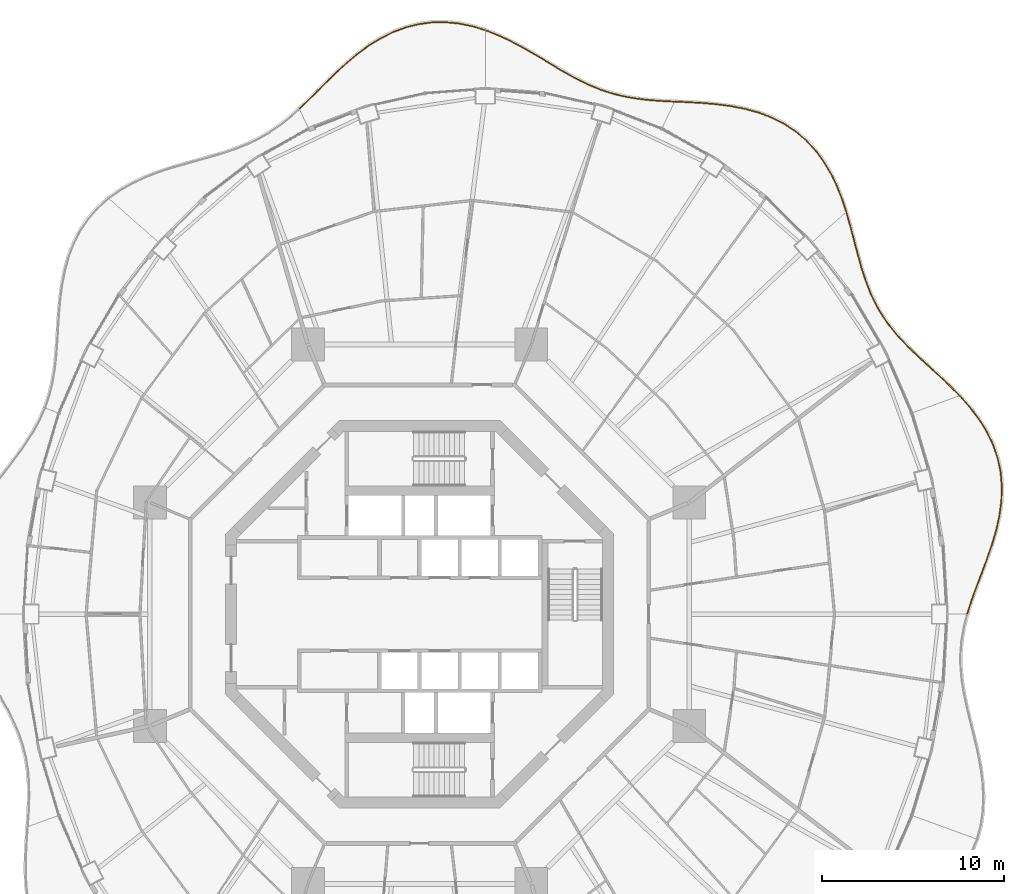
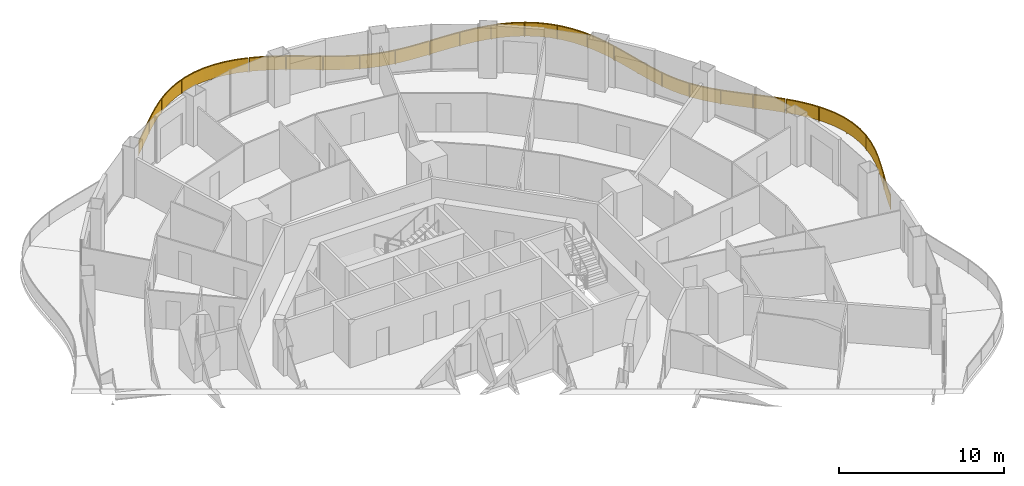
# One storey, part 19 of 19: 5 railings.
"""IFC4 building model written with IfcOpenShell, lengths in metres."""

import ifcopenshell
import ifcopenshell.guid

model = None  # the IFC model being written
_history = None  # IfcOwnerHistory: only IFC2X3 demands one
_inside = {}  # id of a spatial element -> (the spatial element, [elements in it])
_under = {}  # id of a project, library or spatial element -> (it, [spatial elements below it])
_declared = {}  # id of a project -> (the project, [libraries it declares])
_typed = {}  # id of a type object -> (the type object, [elements of that type])
_made_of = {}  # id of a material, layer set ... -> (it, [elements and type objects made of it])


def new_model(schema):
    """Start an empty IFC model of exactly this schema.

    Asked for "IFC4X3", IfcOpenShell would pick the latest addendum, in which some entities
    have other attributes; the version numbers below select the first issue.
    IFC2X3 requires an IfcOwnerHistory on every rooted entity: one is made here for all.
    """
    global model, _history
    if schema == "IFC4X3":
        model = ifcopenshell.file(schema_version=(4, 3, 0, 0))
    else:
        model = ifcopenshell.file(schema=schema)
    _inside.clear()
    _under.clear()
    _declared.clear()
    _typed.clear()
    _made_of.clear()
    _history = None
    if model.schema == "IFC2X3":
        org = make("IfcOrganization", Name="unknown")
        user = make(
            "IfcPersonAndOrganization",
            ThePerson=make("IfcPerson", FamilyName="unknown"),
            TheOrganization=org,
        )
        app = make(
            "IfcApplication",
            ApplicationDeveloper=org,
            Version="unknown",
            ApplicationFullName="unknown",
            ApplicationIdentifier="unknown",
        )
        _history = make(
            "IfcOwnerHistory",
            OwningUser=user,
            OwningApplication=app,
            ChangeAction="ADDED",
            CreationDate=0,
        )
    return model


def make(cls, **values):
    """One entity of the class cls with the attributes given. An attribute that is None is left unset."""
    return model.create_entity(
        cls, **{name: value for name, value in values.items() if value is not None}
    )


def rooted(cls, **values):
    """An entity with a GlobalId (a new one), such as an element, a storey or a relation."""
    return make(cls, GlobalId=ifcopenshell.guid.new(), OwnerHistory=_history, **values)


def si_unit(unit_type, name, prefix=None):
    """IfcSIUnit, for example si_unit("LENGTHUNIT", "METRE", prefix="MILLI")."""
    return make("IfcSIUnit", UnitType=unit_type, Prefix=prefix, Name=name)


def assignment(units):
    """IfcUnitAssignment: the units of a project."""
    return None if units is None else make("IfcUnitAssignment", Units=units)


def point(xyz):
    """IfcCartesianPoint."""
    return None if xyz is None else make("IfcCartesianPoint", Coordinates=xyz)


def direction(xyz):
    """IfcDirection."""
    return None if xyz is None else make("IfcDirection", DirectionRatios=xyz)


def frame(location, z_axis=None, x_axis=None):
    """IfcAxis2Placement3D, a coordinate frame: its origin and axes. An axis left out is left unset."""
    return make(
        "IfcAxis2Placement3D",
        Location=point(location),
        Axis=direction(z_axis),
        RefDirection=direction(x_axis),
    )


def frame_2d(location, x_axis=None):
    """IfcAxis2Placement2D, a coordinate frame in the plane: its origin and x axis."""
    return make(
        "IfcAxis2Placement2D", Location=point(location), RefDirection=direction(x_axis)
    )


def origin():
    """The frame at (0, 0, 0) with its axes left unset."""
    return frame((0.0, 0.0, 0.0))


def origin_2d():
    """The frame at (0, 0) in the plane with its x axis left unset."""
    return frame_2d((0.0, 0.0))


def place(relative_to, where):
    """IfcLocalPlacement: puts the frame where relative to a parent placement (None: the world)."""
    return make(
        "IfcLocalPlacement", PlacementRelTo=relative_to, RelativePlacement=where
    )


def context(
    kind, dimensions, precision=None, world=None, true_north=None, identifier=None
):
    """IfcGeometricRepresentationContext, for example the 3D "Model" context."""
    return make(
        "IfcGeometricRepresentationContext",
        ContextIdentifier=identifier,
        ContextType=kind,
        CoordinateSpaceDimension=dimensions,
        Precision=precision,
        WorldCoordinateSystem=world,
        TrueNorth=true_north,
    )


def subcontext(parent, identifier, kind, view, scale=None):
    """IfcGeometricRepresentationSubContext, for example "Body" below "Model"."""
    return make(
        "IfcGeometricRepresentationSubContext",
        ContextIdentifier=identifier,
        ContextType=kind,
        ParentContext=parent,
        TargetScale=scale,
        TargetView=view,
    )


def project(units=None, contexts=None):
    """IfcProject with its units and contexts."""
    return rooted(
        "IfcProject",
        Name="project",
        RepresentationContexts=contexts,
        UnitsInContext=assignment(units),
    )


def spatial(cls, under=None, at=None, **own):
    """A site, building, storey or space (cls), placed at a placement, below another one or the project."""
    s = rooted(cls, ObjectPlacement=at, **own)
    if under is not None:
        _under.setdefault(under.id(), (under, []))[1].append(s)
    return s


def polyline(points):
    """IfcPolyline through the points."""
    return make("IfcPolyline", Points=[point(p) for p in points])


def profile(cls, at=None, kind="AREA", **sizes):
    """A parametric profile (cls). Its sizes go by their IFC names, for example OverallWidth=200.0."""
    return make(cls, ProfileType=kind, Position=at, **sizes)


def rectangle(**sizes):
    """IfcRectangleProfileDef."""
    return profile("IfcRectangleProfileDef", **sizes)


def outline(outer, holes=None, kind="AREA"):
    """IfcArbitraryClosedProfileDef: a profile drawn as a closed curve; with holes, ...WithVoids."""
    if holes is None:
        return make("IfcArbitraryClosedProfileDef", ProfileType=kind, OuterCurve=outer)
    return make(
        "IfcArbitraryProfileDefWithVoids",
        ProfileType=kind,
        OuterCurve=outer,
        InnerCurves=holes,
    )


def extrude(swept, where, along, depth):
    """IfcExtrudedAreaSolid: the profile swept, set in the frame where, extruded along a direction by depth."""
    return make(
        "IfcExtrudedAreaSolid",
        SweptArea=swept,
        Position=where,
        ExtrudedDirection=direction(along),
        Depth=depth,
    )


def shape(context_of_items, identifier, shape_type, items):
    """IfcShapeRepresentation: the items that make up one representation, for example the "Body"."""
    return make(
        "IfcShapeRepresentation",
        ContextOfItems=context_of_items,
        RepresentationIdentifier=identifier,
        RepresentationType=shape_type,
        Items=items,
    )


def material(Name=None, Category=None):
    """IfcMaterial."""
    return make("IfcMaterial", Name=Name, Category=Category)


def made_of(thing, what):
    """Note that an element or type object is made of a material, layer set ...; save() writes the relation."""
    if what is not None:
        _made_of.setdefault(what.id(), (what, []))[1].append(thing)
    return thing


def type_object(cls, material=None, **own):
    """A type object (cls), such as IfcWallType, which elements share."""
    return made_of(rooted(cls, **own), material)


def element(
    cls,
    number,
    at=None,
    inside=None,
    cuts=None,
    type_object=None,
    material=None,
    context=None,
    identifier="Body",
    shape_type=None,
    held_by="IfcProductDefinitionShape",
    body=None,
    shapes=None,
    **own,
):
    """One element of the class cls, such as IfcWall. Its Tag is "e" and its number.

    at: its placement. inside: the storey or other place that contains it. cuts: it is an
    opening in that element (IfcRelVoidsElement). A single representation is given by context,
    identifier, shape_type and body (its items); several are given by shapes. held_by: the class
    of the entity that holds the representations. save() writes the other relations.
    """
    e = rooted(cls, Tag="e%d" % number, ObjectPlacement=at, **own)
    if body is not None:
        shapes = [shape(context, identifier, shape_type, body)]
    if shapes is not None:
        e.Representation = make(held_by, Representations=shapes)
    if inside is not None:
        _inside.setdefault(inside.id(), (inside, []))[1].append(e)
    if cuts is not None:
        rooted(
            "IfcRelVoidsElement", RelatingBuildingElement=cuts, RelatedOpeningElement=e
        )
    if type_object is not None:
        _typed.setdefault(type_object.id(), (type_object, []))[1].append(e)
    return made_of(e, material)


def aggregate(whole, parts):
    """IfcRelAggregates: a whole, such as a stair, and the parts it consists of."""
    return rooted("IfcRelAggregates", RelatingObject=whole, RelatedObjects=parts)


def save(model, path):
    """Write the relations noted so far, then the file.

    IfcRelAggregates (storeys below a building ...), IfcRelContainedInSpatialStructure (elements
    in a storey), IfcRelDefinesByType, IfcRelAssociatesMaterial and IfcRelDeclares: one each for
    every whole, place, type object, material and project.
    """
    for whole, parts in _under.values():
        aggregate(whole, parts)
    for where, things in _inside.values():
        rooted(
            "IfcRelContainedInSpatialStructure",
            RelatedElements=things,
            RelatingStructure=where,
        )
    for kind, things in _typed.values():
        rooted("IfcRelDefinesByType", RelatedObjects=things, RelatingType=kind)
    for what, things in _made_of.values():
        rooted("IfcRelAssociatesMaterial", RelatedObjects=things, RelatingMaterial=what)
    for by, libraries in _declared.values():
        rooted("IfcRelDeclares", RelatingContext=by, RelatedDefinitions=libraries)
    model.write(path)


model = new_model("IFC4")

# Units and contexts
model_context = context("Model", 3, precision=1e-05, world=origin(), true_north=direction((0.0, 1.0)))
body_context = subcontext(model_context, "Body", "Model", "MODEL_VIEW")
ifc_project = project(units=[si_unit("LENGTHUNIT", "METRE"), si_unit("AREAUNIT", "SQUARE_METRE"), si_unit("VOLUMEUNIT", "CUBIC_METRE"), si_unit("PLANEANGLEUNIT", "RADIAN"), si_unit("MASSUNIT", "GRAM", prefix="KILO")], contexts=[model_context])

# Site, building, storey
site_placement = place(None, origin())
site = spatial("IfcSite", under=ifc_project, at=site_placement, CompositionType="ELEMENT")
building_placement = place(site_placement, origin())
building = spatial("IfcBuilding", under=site, at=building_placement, Name="Nagisa Residences", CompositionType="ELEMENT")
storey_placement = place(building_placement, frame((0.0, 0.0, 191.800048828125)))
storey = spatial("IfcBuildingStorey", under=building, at=storey_placement, Name="L48", CompositionType="ELEMENT", Elevation=191.800048828125)

# Railings
ifc_material = material(Name="Stainless steel 316", Category="steel")
railing_type = type_object("IfcRailingType", Name="BALCONY GUARD 1100", PredefinedType="BALUSTRADE", material=ifc_material)
railing_1_placement = place(storey_placement, frame((30.019287109375, 0.0341796875, 0.0)))
element("IfcRailing", 1, at=railing_1_placement, inside=storey, type_object=railing_type, Name="guard:L48:bal00-0", PredefinedType="BALUSTRADE", context=body_context, shape_type="SweptSolid", body=[
    extrude(outline(polyline([(0.19775390625, 0.701416015625), (-0.02392578125, 0.007568359375), (0.02392578125, -0.007568359375), (0.2451171875, 0.685302734375), (0.514404296875, 1.431396484375), (0.803466796875, 2.1923828125), (1.093505859375, 2.96826171875), (1.365966796875, 3.758544921875), (1.602294921875, 4.5458984375), (1.781982421875, 5.35400390625), (1.890625, 6.163818359375), (1.916015625, 6.968505859375), (1.84912109375, 7.76171875), (1.68896484375, 8.52294921875), (1.4296875, 9.27392578125), (1.079345703125, 9.996337890625), (0.647216796875, 10.686279296875), (0.146240234375, 11.343505859375), (-0.379150390625, 11.932861328125), (-0.416748046875, 11.899658203125), (0.107666015625, 11.311767578125), (0.606201171875, 10.657958984375), (1.035400390625, 9.971923828125), (1.38330078125, 9.2548828125), (1.640625, 8.509765625), (1.79931640625, 7.75439453125), (1.86572265625, 6.967041015625), (1.8408203125, 6.167724609375), (1.732666015625, 5.36279296875), (1.553955078125, 4.55859375), (1.318115234375, 3.773681640625), (1.046630859375, 2.9853515625), (0.756591796875, 2.2099609375), (0.467529296875, 1.448974609375), (0.19775390625, 0.701416015625)])), frame((0.0, 0.0, 1.050048828125)), (0.0, 0.0, 1.0), 0.050048828125),
    extrude(outline(polyline([(0.21484375, 0.695556640625), (-0.006591796875, 0.002197265625), (0.006591796875, -0.002197265625), (0.22802734375, 0.691162109375), (0.49755859375, 1.437744140625), (0.78662109375, 2.19873046875), (1.07666015625, 2.974365234375), (1.3486328125, 3.763916015625), (1.5849609375, 4.550537109375), (1.76416015625, 5.357177734375), (1.872802734375, 6.165283203125), (1.89794921875, 6.968017578125), (1.8310546875, 7.759033203125), (1.671630859375, 8.518310546875), (1.4130859375, 9.26708984375), (1.0634765625, 9.987548828125), (0.632568359375, 10.676025390625), (0.13232421875, 11.33203125), (-0.392822265625, 11.9208984375), (-0.403076171875, 11.91162109375), (0.12158203125, 11.3232421875), (0.620849609375, 10.668212890625), (1.05126953125, 9.980712890625), (1.39990234375, 9.26171875), (1.657958984375, 8.514404296875), (1.8173828125, 7.757080078125), (1.8837890625, 6.967529296875), (1.858642578125, 6.166259765625), (1.75048828125, 5.359619140625), (1.5712890625, 4.553955078125), (1.33544921875, 3.768310546875), (1.0634765625, 2.979248046875), (0.7734375, 2.20361328125), (0.484375, 1.442626953125), (0.21484375, 0.695556640625)])), frame((0.0, 0.0, 0.06005859375)), (0.0, 0.0, 1.0), 0.989990234375),
    extrude(rectangle(XDim=0.0400390625, YDim=0.0400390625, at=origin_2d()), origin(), (0.0, 0.0, 1.0), 1.050048828125),
    extrude(rectangle(XDim=0.0400390625, YDim=0.0400390625, at=origin_2d()), frame((0.7109375, 2.01904296875, 0.0)), (0.0, 0.0, 1.0), 1.050048828125),
    extrude(rectangle(XDim=0.0400390625, YDim=0.0400390625, at=origin_2d()), frame((1.423583984375, 4.037353515625, 0.0)), (0.0, 0.0, 1.0), 1.050048828125),
    extrude(rectangle(XDim=0.0400390625, YDim=0.0400390625, at=origin_2d()), frame((1.86083984375, 6.129150390625, 0.0)), (0.0, 0.0, 1.0), 1.050048828125),
    extrude(rectangle(XDim=0.0400390625, YDim=0.0400390625, at=origin_2d()), frame((1.719482421875, 8.255859375, 0.0)), (0.0, 0.0, 1.0), 1.050048828125),
    extrude(rectangle(XDim=0.0400390625, YDim=0.0400390625, at=origin_2d()), frame((0.906982421875, 10.224365234375, 0.0)), (0.0, 0.0, 1.0), 1.050048828125),
    extrude(rectangle(XDim=0.0400390625, YDim=0.0400390625, at=origin_2d()), frame((-0.39794921875, 11.916259765625, 0.0)), (0.0, 0.0, 1.0), 1.050048828125),
])
railing_2_placement = place(storey_placement, frame((29.567626953125, 12.005859375, 0.0)))
element("IfcRailing", 2, at=railing_2_placement, inside=storey, type_object=railing_type, Name="guard:L48:bal01-0", PredefinedType="BALUSTRADE", context=body_context, shape_type="SweptSolid", body=[
    extrude(outline(polyline([(-0.55810546875, 0.52587890625), (-0.017822265625, -0.017578125), (0.017822265625, 0.017578125), (-0.52294921875, 0.5615234375), (-1.111572265625, 1.1171875), (-1.70068359375, 1.65625), (-2.2744140625, 2.1865234375), (-2.819580078125, 2.71630859375), (-3.318115234375, 3.240478515625), (-3.776123046875, 3.793212890625), (-4.18212890625, 4.369384765625), (-4.535888671875, 4.97412109375), (-4.840576171875, 5.6123046875), (-5.09423828125, 6.272705078125), (-5.3232421875, 6.980224609375), (-5.530517578125, 7.718505859375), (-5.72998046875, 8.4814453125), (-5.935791015625, 9.260498046875), (-6.14697265625, 10.001708984375), (-6.1953125, 9.988037109375), (-5.984130859375, 9.247314453125), (-5.7783203125, 8.46875), (-5.578857421875, 7.705322265625), (-5.37109375, 6.965576171875), (-5.1416015625, 6.256103515625), (-4.886474609375, 5.59228515625), (-4.580322265625, 4.95068359375), (-4.22412109375, 4.342041015625), (-3.815673828125, 3.762939453125), (-3.355712890625, 3.207275390625), (-2.855224609375, 2.68115234375), (-2.30908203125, 2.150390625), (-1.734375, 1.61962890625), (-1.145751953125, 1.08056640625), (-0.55810546875, 0.52587890625)])), frame((0.0, 0.0, 1.050048828125)), (0.0, 0.0, 1.0), 0.050048828125),
    extrude(outline(polyline([(-0.54541015625, 0.53857421875), (-0.0048828125, -0.0048828125), (0.0048828125, 0.0048828125), (-0.53564453125, 0.548828125), (-1.123779296875, 1.10400390625), (-1.712890625, 1.64306640625), (-2.286865234375, 2.173583984375), (-2.83251953125, 2.70361328125), (-3.331787109375, 3.228515625), (-3.790283203125, 3.7822265625), (-4.197265625, 4.359619140625), (-4.552001953125, 4.965576171875), (-4.857177734375, 5.60498046875), (-5.111328125, 6.266845703125), (-5.340576171875, 6.974853515625), (-5.5478515625, 7.7138671875), (-5.747314453125, 8.476806640625), (-5.953125, 9.255859375), (-6.164306640625, 9.996826171875), (-6.177978515625, 9.992919921875), (-5.966796875, 9.251953125), (-5.760986328125, 8.473388671875), (-5.5615234375, 7.7099609375), (-5.353759765625, 6.970947265625), (-5.12451171875, 6.261962890625), (-4.869873046875, 5.599609375), (-4.564208984375, 4.959228515625), (-4.208984375, 4.351806640625), (-3.801513671875, 3.77392578125), (-3.342041015625, 3.21923828125), (-2.84228515625, 2.69384765625), (-2.296630859375, 2.163330078125), (-1.72216796875, 1.6328125), (-1.133544921875, 1.09375), (-0.54541015625, 0.53857421875)])), frame((0.0, 0.0, 0.06005859375)), (0.0, 0.0, 1.0), 0.989990234375),
    extrude(rectangle(XDim=0.0400390625, YDim=0.0400390625, at=origin_2d()), origin(), (0.0, 0.0, 1.0), 1.050048828125),
    extrude(rectangle(XDim=0.0400390625, YDim=0.0400390625, at=origin_2d()), frame((-1.449951171875, 1.39306640625, 0.0)), (0.0, 0.0, 1.0), 1.050048828125),
    extrude(rectangle(XDim=0.0400390625, YDim=0.0400390625, at=origin_2d()), frame((-2.91015625, 2.775146484375, 0.0)), (0.0, 0.0, 1.0), 1.050048828125),
    extrude(rectangle(XDim=0.0400390625, YDim=0.0400390625, at=origin_2d()), frame((-4.18310546875, 4.327392578125, 0.0)), (0.0, 0.0, 1.0), 1.050048828125),
    extrude(rectangle(XDim=0.0400390625, YDim=0.0400390625, at=origin_2d()), frame((-5.06591796875, 6.129150390625, 0.0)), (0.0, 0.0, 1.0), 1.050048828125),
    extrude(rectangle(XDim=0.0400390625, YDim=0.0400390625, at=origin_2d()), frame((-5.64404296875, 8.05419921875, 0.0)), (0.0, 0.0, 1.0), 1.050048828125),
    extrude(rectangle(XDim=0.0400390625, YDim=0.0400390625, at=origin_2d()), frame((-6.171142578125, 9.994873046875, 0.0)), (0.0, 0.0, 1.0), 1.050048828125),
])
railing_3_placement = place(storey_placement, frame((23.375, 22.07470703125, 0.0)))
element("IfcRailing", 3, at=railing_3_placement, inside=storey, type_object=railing_type, Name="guard:L48:bal02-0", PredefinedType="BALUSTRADE", context=body_context, shape_type="SweptSolid", body=[
    extrude(outline(polyline([(-0.25341796875, 0.68994140625), (-0.023681640625, -0.0078125), (0.023681640625, 0.0078125), (-0.20654296875, 0.70703125), (-0.4951171875, 1.43212890625), (-0.833984375, 2.128662109375), (-1.228759765625, 2.78515625), (-1.683349609375, 3.39208984375), (-2.186767578125, 3.9296875), (-2.761962890625, 4.412353515625), (-3.391845703125, 4.825927734375), (-4.070556640625, 5.168701171875), (-4.78955078125, 5.4423828125), (-5.527587890625, 5.64306640625), (-6.29736328125, 5.7939453125), (-7.080078125, 5.89794921875), (-7.8642578125, 5.965576171875), (-8.641357421875, 6.01025390625), (-9.359130859375, 6.040771484375), (-9.361083984375, 5.990966796875), (-8.643798828125, 5.96044921875), (-7.86767578125, 5.915771484375), (-7.08544921875, 5.84814453125), (-6.3056640625, 5.74462890625), (-5.538818359375, 5.59423828125), (-4.80517578125, 5.39453125), (-4.090576171875, 5.122802734375), (-3.416748046875, 4.782470703125), (-2.791748046875, 4.372314453125), (-2.221435546875, 3.89306640625), (-1.721923828125, 3.35986328125), (-1.270263671875, 2.75732421875), (-0.8779296875, 2.104736328125), (-0.541015625, 1.412109375), (-0.25341796875, 0.68994140625)])), frame((0.0, 0.0, 1.050048828125)), (0.0, 0.0, 1.0), 0.050048828125),
    extrude(outline(polyline([(-0.236572265625, 0.696044921875), (-0.006591796875, -0.002197265625), (0.006591796875, 0.002197265625), (-0.223388671875, 0.700927734375), (-0.51171875, 1.425048828125), (-0.849853515625, 2.1201171875), (-1.24365234375, 2.775146484375), (-1.697265625, 3.38037109375), (-2.19921875, 3.91650390625), (-2.772705078125, 4.39794921875), (-3.40087890625, 4.810302734375), (-4.07763671875, 5.152099609375), (-4.795166015625, 5.425048828125), (-5.531494140625, 5.62548828125), (-6.30029296875, 5.776123046875), (-7.08203125, 5.880126953125), (-7.865478515625, 5.94775390625), (-8.642333984375, 5.992431640625), (-9.35986328125, 6.02294921875), (-9.3603515625, 6.0087890625), (-8.642822265625, 5.978271484375), (-7.866455078125, 5.93359375), (-7.08349609375, 5.865966796875), (-6.302734375, 5.762451171875), (-5.534912109375, 5.61181640625), (-4.799560546875, 5.411865234375), (-4.08349609375, 5.139404296875), (-3.40771484375, 4.798095703125), (-2.781005859375, 4.38671875), (-2.208984375, 3.90625), (-1.7080078125, 3.37158203125), (-1.25537109375, 2.767333984375), (-0.862060546875, 2.11328125), (-0.5244140625, 1.419189453125), (-0.236572265625, 0.696044921875)])), frame((0.0, 0.0, 0.06005859375)), (0.0, 0.0, 1.0), 0.989990234375),
    extrude(rectangle(XDim=0.0400390625, YDim=0.0400390625, at=origin_2d()), origin(), (0.0, 0.0, 1.0), 1.050048828125),
    extrude(rectangle(XDim=0.0400390625, YDim=0.0400390625, at=origin_2d()), frame((-0.74365234375, 1.8857421875, 0.0)), (0.0, 0.0, 1.0), 1.050048828125),
    extrude(rectangle(XDim=0.0400390625, YDim=0.0400390625, at=origin_2d()), frame((-1.8759765625, 3.56103515625, 0.0)), (0.0, 0.0, 1.0), 1.050048828125),
    extrude(rectangle(XDim=0.0400390625, YDim=0.0400390625, at=origin_2d()), frame((-3.449951171875, 4.8271484375, 0.0)), (0.0, 0.0, 1.0), 1.050048828125),
    extrude(rectangle(XDim=0.0400390625, YDim=0.0400390625, at=origin_2d()), frame((-5.334228515625, 5.564453125, 0.0)), (0.0, 0.0, 1.0), 1.050048828125),
    extrude(rectangle(XDim=0.0400390625, YDim=0.0400390625, at=origin_2d()), frame((-7.334228515625, 5.894775390625, 0.0)), (0.0, 0.0, 1.0), 1.050048828125),
    extrude(rectangle(XDim=0.0400390625, YDim=0.0400390625, at=origin_2d()), frame((-9.360107421875, 6.015869140625, 0.0)), (0.0, 0.0, 1.0), 1.050048828125),
])
railing_4_placement = place(storey_placement, frame((13.939697265625, 28.09228515625, 0.0)))
element("IfcRailing", 4, at=railing_4_placement, inside=storey, type_object=railing_type, Name="guard:L48:bal03-0", PredefinedType="BALUSTRADE", context=body_context, shape_type="SweptSolid", body=[
    extrude(outline(polyline([(-0.67333984375, 0.00830078125), (-0.001220703125, -0.02490234375), (0.001220703125, 0.02490234375), (-0.67041015625, 0.05810546875), (-1.3662109375, 0.111083984375), (-2.0400390625, 0.189453125), (-2.692626953125, 0.302001953125), (-3.326171875, 0.455322265625), (-3.927978515625, 0.647216796875), (-4.536376953125, 0.88916015625), (-5.139892578125, 1.17431640625), (-5.74462890625, 1.4970703125), (-6.35595703125, 1.850341796875), (-6.961181640625, 2.221435546875), (-7.599365234375, 2.603271484375), (-8.256103515625, 2.980224609375), (-8.93212890625, 3.337890625), (-9.627685546875, 3.661865234375), (-10.29443359375, 3.924072265625), (-10.31298828125, 3.877685546875), (-9.647216796875, 3.615966796875), (-8.95458984375, 3.29296875), (-8.280029296875, 2.936279296875), (-7.624755859375, 2.560302734375), (-6.987060546875, 2.178466796875), (-6.38134765625, 1.807373046875), (-5.76904296875, 1.453125), (-5.162353515625, 1.12939453125), (-4.556396484375, 0.84326171875), (-3.945068359375, 0.599853515625), (-3.33984375, 0.406982421875), (-2.702880859375, 0.253173828125), (-2.04736328125, 0.14013671875), (-1.37109375, 0.061279296875), (-0.67333984375, 0.00830078125)])), frame((0.0, 0.0, 1.050048828125)), (0.0, 0.0, 1.0), 0.050048828125),
    extrude(outline(polyline([(-0.67236328125, 0.026123046875), (-0.000244140625, -0.007080078125), (0.000244140625, 0.007080078125), (-0.67138671875, 0.040283203125), (-1.367919921875, 0.09326171875), (-2.042724609375, 0.171630859375), (-2.6962890625, 0.284423828125), (-3.3310546875, 0.43798828125), (-3.93408203125, 0.630126953125), (-4.543701171875, 0.87255859375), (-5.14794921875, 1.158203125), (-5.75341796875, 1.481201171875), (-6.364990234375, 1.8349609375), (-6.970458984375, 2.2060546875), (-7.608642578125, 2.587890625), (-8.2646484375, 2.96435546875), (-8.940185546875, 3.32177734375), (-9.634765625, 3.645263671875), (-10.30126953125, 3.907470703125), (-10.30615234375, 3.894287109375), (-9.64013671875, 3.632568359375), (-8.946533203125, 3.30908203125), (-8.271484375, 2.9521484375), (-7.615478515625, 2.57568359375), (-6.977783203125, 2.19384765625), (-6.372314453125, 1.82275390625), (-5.76025390625, 1.468994140625), (-5.154296875, 1.1455078125), (-4.549072265625, 0.85986328125), (-3.93896484375, 0.616943359375), (-3.3349609375, 0.42431640625), (-2.69921875, 0.270751953125), (-2.044677734375, 0.157958984375), (-1.369384765625, 0.0791015625), (-0.67236328125, 0.026123046875)])), frame((0.0, 0.0, 0.06005859375)), (0.0, 0.0, 1.0), 0.989990234375),
    extrude(rectangle(XDim=0.0400390625, YDim=0.0400390625, at=origin_2d()), origin(), (0.0, 0.0, 1.0), 1.050048828125),
    extrude(rectangle(XDim=0.0400390625, YDim=0.0400390625, at=origin_2d()), frame((-2.22509765625, 0.196044921875, 0.0)), (0.0, 0.0, 1.0), 1.050048828125),
    extrude(rectangle(XDim=0.0400390625, YDim=0.0400390625, at=origin_2d()), frame((-4.371826171875, 0.796875, 0.0)), (0.0, 0.0, 1.0), 1.050048828125),
    extrude(rectangle(XDim=0.0400390625, YDim=0.0400390625, at=origin_2d()), frame((-6.35595703125, 1.821533203125, 0.0)), (0.0, 0.0, 1.0), 1.050048828125),
    extrude(rectangle(XDim=0.0400390625, YDim=0.0400390625, at=origin_2d()), frame((-8.27734375, 2.963134765625, 0.0)), (0.0, 0.0, 1.0), 1.050048828125),
    extrude(rectangle(XDim=0.0400390625, YDim=0.0400390625, at=origin_2d()), frame((-10.3037109375, 3.90087890625, 0.0)), (0.0, 0.0, 1.0), 1.050048828125),
])
railing_5_placement = place(storey_placement, frame((3.56298828125, 32.019287109375, 0.0)))
element("IfcRailing", 5, at=railing_5_placement, inside=storey, type_object=railing_type, Name="guard:L48:bal04-0", PredefinedType="BALUSTRADE", context=body_context, shape_type="SweptSolid", body=[
    extrude(outline(polyline([(-0.685302734375, 0.18212890625), (-0.00732421875, -0.02392578125), (0.00732421875, 0.02392578125), (-0.673095703125, 0.23095703125), (-1.41015625, 0.379638671875), (-2.1513671875, 0.450927734375), (-2.89111328125, 0.439208984375), (-3.620361328125, 0.34326171875), (-4.322021484375, 0.16552734375), (-5.01953125, -0.094482421875), (-5.693115234375, -0.42724609375), (-6.339599609375, -0.823486328125), (-6.957763671875, -1.271728515625), (-7.531005859375, -1.75439453125), (-8.09423828125, -2.267333984375), (-8.63525390625, -2.79248046875), (-9.158203125, -3.316162109375), (-9.670166015625, -3.826416015625), (-10.143798828125, -4.283203125), (-10.109130859375, -4.3193359375), (-9.635009765625, -3.862060546875), (-9.123046875, -3.351806640625), (-8.60009765625, -2.828125), (-8.06005859375, -2.303955078125), (-7.497802734375, -1.7919921875), (-6.927001953125, -1.311279296875), (-6.311767578125, -0.864990234375), (-5.668701171875, -0.47119140625), (-4.99951171875, -0.140380859375), (-4.306884765625, 0.11767578125), (-3.611083984375, 0.2939453125), (-2.88720703125, 0.389404296875), (-2.1533203125, 0.400634765625), (-1.41748046875, 0.329833984375), (-0.685302734375, 0.18212890625)])), frame((0.0, 0.0, 1.050048828125)), (0.0, 0.0, 1.0), 0.050048828125),
    extrude(outline(polyline([(-0.680908203125, 0.19970703125), (-0.001953125, -0.006591796875), (0.001953125, 0.006591796875), (-0.677490234375, 0.21337890625), (-1.412841796875, 0.361572265625), (-2.152099609375, 0.432861328125), (-2.8896484375, 0.42138671875), (-3.616943359375, 0.325439453125), (-4.316650390625, 0.148193359375), (-5.01220703125, -0.111083984375), (-5.684326171875, -0.443115234375), (-6.32958984375, -0.83837890625), (-6.94677734375, -1.285888671875), (-7.51904296875, -1.767822265625), (-8.08203125, -2.280517578125), (-8.62255859375, -2.805419921875), (-9.1455078125, -3.3291015625), (-9.657470703125, -3.83935546875), (-10.13134765625, -4.296142578125), (-10.12158203125, -4.306396484375), (-9.647705078125, -3.84912109375), (-9.1357421875, -3.3388671875), (-8.61279296875, -2.815185546875), (-8.072265625, -2.290771484375), (-7.509765625, -1.778564453125), (-6.93798828125, -1.297119140625), (-6.32177734375, -0.85009765625), (-5.677490234375, -0.455322265625), (-5.0068359375, -0.123779296875), (-4.312255859375, 0.135009765625), (-3.614501953125, 0.311767578125), (-2.888671875, 0.4072265625), (-2.152587890625, 0.418701171875), (-1.414794921875, 0.347900390625), (-0.680908203125, 0.19970703125)])), frame((0.0, 0.0, 0.06005859375)), (0.0, 0.0, 1.0), 0.989990234375),
    extrude(rectangle(XDim=0.0400390625, YDim=0.0400390625, at=origin_2d()), origin(), (0.0, 0.0, 1.0), 1.050048828125),
    extrude(rectangle(XDim=0.0400390625, YDim=0.0400390625, at=origin_2d()), frame((-2.307861328125, 0.42333984375, 0.0)), (0.0, 0.0, 1.0), 1.050048828125),
    extrude(rectangle(XDim=0.0400390625, YDim=0.0400390625, at=origin_2d()), frame((-4.615966796875, 0.029296875, 0.0)), (0.0, 0.0, 1.0), 1.050048828125),
    extrude(rectangle(XDim=0.0400390625, YDim=0.0400390625, at=origin_2d()), frame((-6.675048828125, -1.09765625, 0.0)), (0.0, 0.0, 1.0), 1.050048828125),
    extrude(rectangle(XDim=0.0400390625, YDim=0.0400390625, at=origin_2d()), frame((-8.44873046875, -2.646240234375, 0.0)), (0.0, 0.0, 1.0), 1.050048828125),
    extrude(rectangle(XDim=0.0400390625, YDim=0.0400390625, at=origin_2d()), frame((-10.12646484375, -4.30126953125, 0.0)), (0.0, 0.0, 1.0), 1.050048828125),
])

save(model, "model.ifc")
